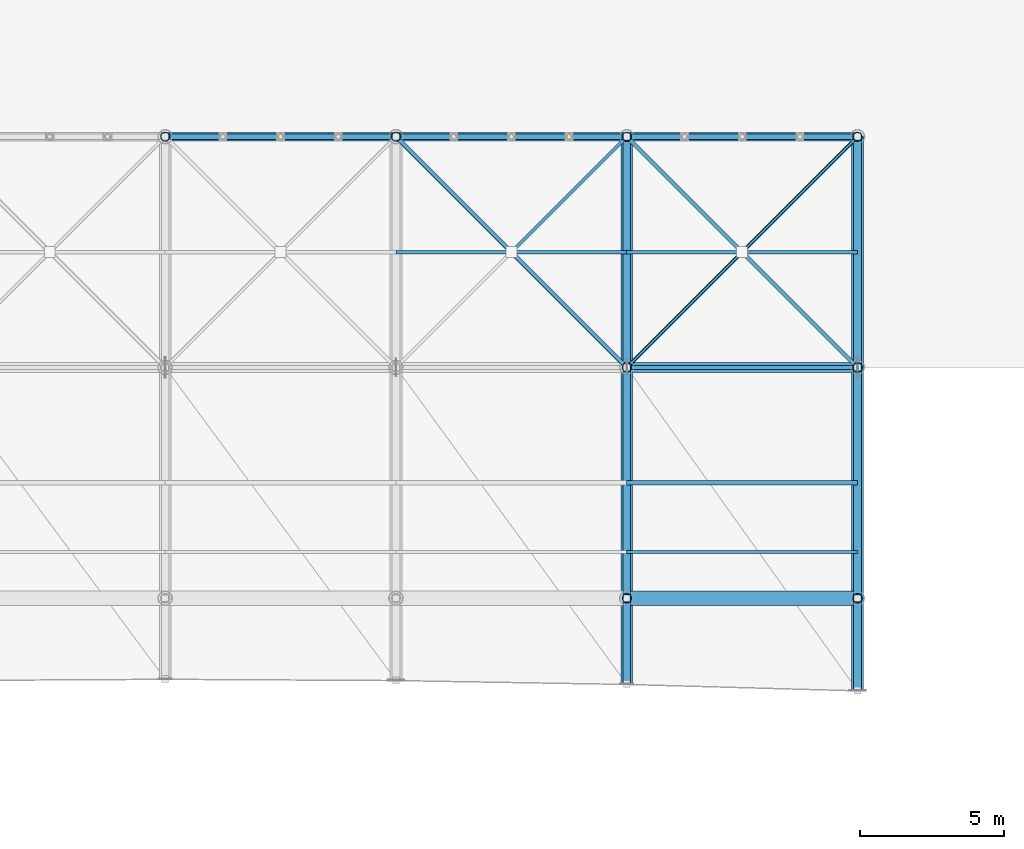
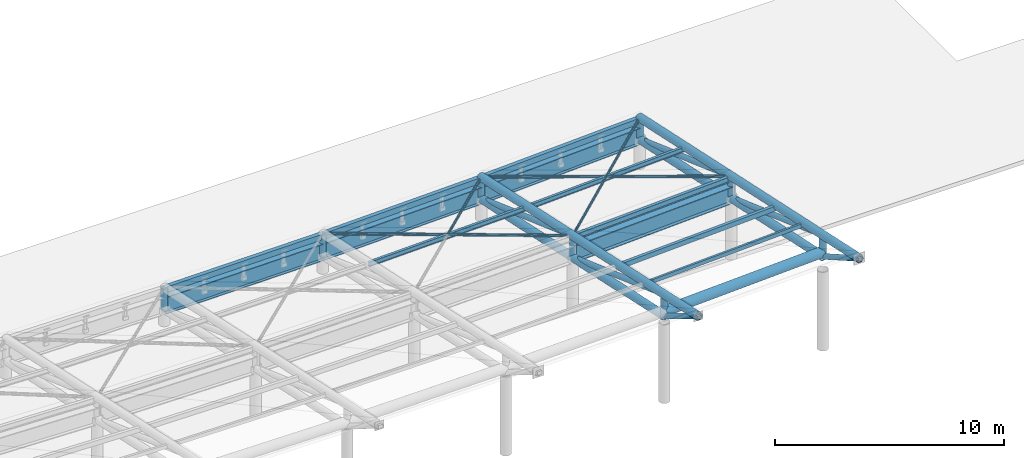
# One storey, part 18 of 54: 28 members, 8 beams.
"""IFC4 building model written with IfcOpenShell, lengths in metres."""

from ifc_helpers import new_model, si_unit, direction, frame, origin, origin_2d, place, context, subcontext, project, spatial, hollow_rectangle, hollow_circle, i_section, extrude, material, material_profile, profile_set, type_object, element, save


model = new_model("IFC4")

# Units and contexts
model_context = context("Model", 3, precision=1e-05, world=origin(), true_north=direction((0.0, 1.0)))
body_context = subcontext(model_context, "Body", "Model", "MODEL_VIEW")
ifc_project = project(units=[si_unit("LENGTHUNIT", "METRE"), si_unit("AREAUNIT", "SQUARE_METRE"), si_unit("VOLUMEUNIT", "CUBIC_METRE"), si_unit("PLANEANGLEUNIT", "RADIAN"), si_unit("MASSUNIT", "GRAM", prefix="KILO")], contexts=[model_context])

# Site, building, storey
site_placement = place(None, origin())
site = spatial("IfcSite", under=ifc_project, at=site_placement, CompositionType="ELEMENT")
building_placement = place(site_placement, origin())
building = spatial("IfcBuilding", under=site, at=building_placement, Name="Haebicheon Civic Stadium", CompositionType="ELEMENT")
storey_placement = place(building_placement, frame((0.0, 0.0, 22.800048828125)))
storey = spatial("IfcBuildingStorey", under=building, at=storey_placement, Name="L06", CompositionType="ELEMENT", Elevation=22.800048828125)

# Members
ifc_material_1 = material(Name="White painted steel SM490", Category="steel")
ifc_material_profile_1 = material_profile(ifc_material_1, hollow_circle(Radius=0.05712890625, WallThickness=0.006103515625, at=origin_2d()), Name="CHS-114.3x6.0")
ifc_profile_set_1 = profile_set([ifc_material_profile_1], Name="White painted steel SM490")
member_type_1 = type_object("IfcMemberType", Name="BRC-CHS114", PredefinedType="BRACE", material=ifc_profile_set_1)
member_1_placement = place(storey_placement, frame((120.0, 160.0, 2.219970703125), z_axis=(-0.700966987649, -0.700966987649, 0.131493590921), x_axis=(0.707106781187, -0.707106781187, 0.0)))
element("IfcMember", 1, at=member_1_placement, inside=storey, type_object=member_type_1, material=ifc_profile_set_1, Name="BR114 diagonal brace CAN-NORTH canopy bay 5 B1", PredefinedType="BRACE", context=body_context, shape_type="SweptSolid", body=[
    extrude(hollow_circle(Radius=0.05712890625, WallThickness=0.006103515625, at=origin_2d()), origin(), (0.0, 0.0, 1.0), 5.635009765625),
])
member_2_placement = place(storey_placement, frame((128.0, 160.0, 2.5869140625), z_axis=(-0.702116996271, -0.702116996271, 0.118589405491), x_axis=(0.707106781187, -0.707106781187, 0.0)))
element("IfcMember", 2, at=member_2_placement, inside=storey, type_object=member_type_1, material=ifc_profile_set_1, Name="BR114 diagonal brace CAN-NORTH canopy bay 6 B1", PredefinedType="BRACE", context=body_context, shape_type="SweptSolid", body=[
    extrude(hollow_circle(Radius=0.05712890625, WallThickness=0.006103515625, at=origin_2d()), origin(), (0.0, 0.0, 1.0), 5.624267578125),
])
member_3_placement = place(storey_placement, frame((123.948974609375, 155.948974609375, 3.27197265625), z_axis=(-0.702102529055, -0.702102529055, 0.118760588531), x_axis=(0.707106781187, -0.707106781187, 0.0)))
element("IfcMember", 3, at=member_3_placement, inside=storey, type_object=member_type_1, material=ifc_profile_set_1, Name="BR114 diagonal brace CAN-NORTH canopy bay 6 B2", PredefinedType="BRACE", context=body_context, shape_type="SweptSolid", body=[
    extrude(hollow_circle(Radius=0.05712890625, WallThickness=0.006103515625, at=origin_2d()), origin(), (0.0, 0.0, 1.0), 5.62451171875),
])
ifc_material_2 = material(Name="White painted steel SM490", Category="steel")
ifc_material_profile_2 = material_profile(ifc_material_2, hollow_circle(Radius=0.06982421875, WallThickness=0.006591796875, at=origin_2d()), Name="CHS-139.8x6.6")
ifc_profile_set_2 = profile_set([ifc_material_profile_2], Name="White painted steel SM490")
member_type_2 = type_object("IfcMemberType", Name="BRC-CHS139", PredefinedType="BRACE", material=ifc_profile_set_2)
member_4_placement = place(storey_placement, frame((112.0, 160.0, 2.0), z_axis=(0.696935578316, -0.696935578316, 0.169001773233), x_axis=(0.707106781187, 0.707106781187, 0.0)))
element("IfcMember", 4, at=member_4_placement, inside=storey, type_object=member_type_2, material=ifc_profile_set_2, Name="BR139 diagonal brace CAN-NORTH canopy bay 5 A", PredefinedType="BRACE", context=body_context, shape_type="SweptSolid", body=[
    extrude(hollow_circle(Radius=0.06982421875, WallThickness=0.006591796875, at=origin_2d()), origin(), (0.0, 0.0, 1.0), 11.478759765625),
])
member_5_placement = place(storey_placement, frame((120.0, 160.0, 2.219970703125), z_axis=(0.695375628973, -0.695375628973, 0.181398647353), x_axis=(0.707106781187, 0.707106781187, 0.0)))
element("IfcMember", 5, at=member_5_placement, inside=storey, type_object=member_type_2, material=ifc_profile_set_2, Name="BR139 diagonal brace CAN-NORTH canopy bay 6 A", PredefinedType="BRACE", context=body_context, shape_type="SweptSolid", body=[
    extrude(hollow_circle(Radius=0.06982421875, WallThickness=0.006591796875, at=origin_2d()), origin(), (0.0, 0.0, 1.0), 11.504638671875),
])
ifc_material_3 = material(Name="White painted steel SM490", Category="steel")
ifc_material_profile_3 = material_profile(ifc_material_3, hollow_circle(Radius=0.1337890625, WallThickness=0.011962890625, at=origin_2d()), Name="CHS-267.4x12.0")
ifc_profile_set_3 = profile_set([ifc_material_profile_3], Name="White painted steel SM490")
member_type_3 = type_object("IfcMemberType", Name="BRC-CHS267", PredefinedType="BRACE", material=ifc_profile_set_3)
member_6_placement = place(storey_placement, frame((120.0, 143.8798828125, 4.58203125), z_axis=(0.0, -0.857059789892, 0.515216960659), x_axis=(1.0, 0.0, 0.0)))
element("IfcMember", 6, at=member_6_placement, inside=storey, type_object=member_type_3, material=ifc_profile_set_3, Name="BR267 diagonal brace CAN-NORTH truss 6 tip", PredefinedType="BRACE", context=body_context, shape_type="SweptSolid", body=[
    extrude(hollow_circle(Radius=0.1337890625, WallThickness=0.011962890625, at=origin_2d()), origin(), (0.0, 0.0, 1.0), 3.33447265625),
])
for number, where, z_axis, x_axis, name in (
    (7, (120.0, 160.0, 1.070068359375), (0.0, -0.9412665544, 0.3376644393), (1.0, 0.0, 0.0), "BR267 diagonal brace CAN-NORTH truss 6 D1"),
    (8, (120.0, 152.0, 2.7900390625), (0.0, -0.9412665544, 0.3376644393), (1.0, 0.0, 0.0), "BR267 diagonal brace CAN-NORTH truss 6 D2"),
):
    element("IfcMember", number, at=place(storey_placement, frame(where, z_axis=z_axis, x_axis=x_axis)), inside=storey, type_object=member_type_3, material=ifc_profile_set_3, Name=name, PredefinedType="BRACE", context=body_context, shape_type="SweptSolid", body=[
        extrude(hollow_circle(Radius=0.1337890625, WallThickness=0.011962890625, at=origin_2d()), origin(), (0.0, 0.0, 1.0), 8.499267578125),
    ])
member_7_placement = place(storey_placement, frame((128.0, 143.87890625, 4.947021484375), z_axis=(0.0, -0.867212955161, 0.497937436232), x_axis=(1.0, 0.0, 0.0)))
element("IfcMember", 9, at=member_7_placement, inside=storey, type_object=member_type_3, material=ifc_profile_set_3, Name="BR267 diagonal brace CAN-NORTH truss 7 tip", PredefinedType="BRACE", context=body_context, shape_type="SweptSolid", body=[
    extrude(hollow_circle(Radius=0.1337890625, WallThickness=0.011962890625, at=origin_2d()), origin(), (0.0, 0.0, 1.0), 3.55029296875),
])
for number, where, z_axis, x_axis, name in (
    (10, (128.0, 160.0, 1.43701171875), (0.0, -0.9412665544, 0.3376644393), (1.0, 0.0, 0.0), "BR267 diagonal brace CAN-NORTH truss 7 D1"),
    (11, (128.0, 152.0, 3.156982421875), (0.0, -0.9412665544, 0.3376644393), (1.0, 0.0, 0.0), "BR267 diagonal brace CAN-NORTH truss 7 D2"),
):
    element("IfcMember", number, at=place(storey_placement, frame(where, z_axis=z_axis, x_axis=x_axis)), inside=storey, type_object=member_type_3, material=ifc_profile_set_3, Name=name, PredefinedType="BRACE", context=body_context, shape_type="SweptSolid", body=[
        extrude(hollow_circle(Radius=0.1337890625, WallThickness=0.011962890625, at=origin_2d()), origin(), (0.0, 0.0, 1.0), 8.499267578125),
    ])
ifc_material_4 = material(Name="White painted steel SM490", Category="steel")
ifc_material_profile_4 = material_profile(ifc_material_4, hollow_circle(Radius=0.203125, WallThickness=0.01806640625, at=origin_2d()), Name="CHS-406.4x18.0")
ifc_profile_set_4 = profile_set([ifc_material_profile_4], Name="White painted steel SM490")
member_type_4 = type_object("IfcMemberType", Name="CHD-CHS406", PredefinedType="CHORD", material=ifc_profile_set_4)
member_8_placement = place(storey_placement, frame((120.0, 160.0, 2.219970703125), z_axis=(0.0, -0.977661207526, 0.210186972241), x_axis=(1.0, 0.0, 0.0)))
element("IfcMember", 12, at=member_8_placement, inside=storey, type_object=member_type_4, material=ifc_profile_set_4, Name="CH406 truss chord CAN-NORTH 6 top", PredefinedType="CHORD", context=body_context, shape_type="SweptSolid", body=[
    extrude(hollow_circle(Radius=0.203125, WallThickness=0.01806640625, at=origin_2d()), origin(), (0.0, 0.0, 1.0), 19.41162109375),
])
member_9_placement = place(storey_placement, frame((120.0, 160.0, 1.070068359375), z_axis=(0.0, -0.977659849808, 0.210193287411), x_axis=(1.0, 0.0, 0.0)))
element("IfcMember", 13, at=member_9_placement, inside=storey, type_object=member_type_4, material=ifc_profile_set_4, Name="CH406 truss chord CAN-NORTH 6 bottom", PredefinedType="CHORD", context=body_context, shape_type="SweptSolid", body=[
    extrude(hollow_circle(Radius=0.203125, WallThickness=0.01806640625, at=origin_2d()), origin(), (0.0, 0.0, 1.0), 16.36572265625),
])
member_10_placement = place(storey_placement, frame((128.0, 160.0, 2.5869140625), z_axis=(0.0, -0.977659739959, 0.210193798345), x_axis=(1.0, 0.0, 0.0)))
element("IfcMember", 14, at=member_10_placement, inside=storey, type_object=member_type_4, material=ifc_profile_set_4, Name="CH406 truss chord CAN-NORTH 7 top", PredefinedType="CHORD", context=body_context, shape_type="SweptSolid", body=[
    extrude(hollow_circle(Radius=0.203125, WallThickness=0.01806640625, at=origin_2d()), origin(), (0.0, 0.0, 1.0), 19.638671875),
])
member_11_placement = place(storey_placement, frame((128.0, 160.0, 1.43701171875), z_axis=(0.0, -0.977659849808, 0.210193287411), x_axis=(1.0, 0.0, 0.0)))
element("IfcMember", 15, at=member_11_placement, inside=storey, type_object=member_type_4, material=ifc_profile_set_4, Name="CH406 truss chord CAN-NORTH 7 bottom", PredefinedType="CHORD", context=body_context, shape_type="SweptSolid", body=[
    extrude(hollow_circle(Radius=0.203125, WallThickness=0.01806640625, at=origin_2d()), origin(), (0.0, 0.0, 1.0), 16.36572265625),
])
ifc_material_5 = material(Name="White painted steel SM490", Category="steel")
ifc_material_profile_5 = material_profile(ifc_material_5, hollow_rectangle(XDim=0.10009765625, YDim=0.199951171875, WallThickness=0.008056640625, at=origin_2d()), Name="RHS-200x100x8.0")
ifc_profile_set_5 = profile_set([ifc_material_profile_5], Name="White painted steel SM490")
member_type_5 = type_object("IfcMemberType", Name="PRL-RHS200", PredefinedType="RAFTER", material=ifc_profile_set_5)
member_12_placement = place(storey_placement, frame((120.0, 145.60009765625, 5.27392578125), z_axis=(0.998949723901, 0.0, 0.045819745942), x_axis=(0.0, 1.0, 0.0)))
element("IfcMember", 16, at=member_12_placement, inside=storey, type_object=member_type_5, material=ifc_profile_set_5, Name="CAN-NORTH canopy purlin bay 6 (90%)", PredefinedType="RAFTER", context=body_context, shape_type="SweptSolid", body=[
    extrude(hollow_rectangle(XDim=0.10009765625, YDim=0.199951171875, WallThickness=0.008056640625, at=origin_2d()), origin(), (0.0, 0.0, 1.0), 8.00830078125),
])
ifc_material_6 = material(Name="White painted steel SM490", Category="steel")
ifc_material_profile_6 = material_profile(ifc_material_6, hollow_rectangle(XDim=0.14990234375, YDim=0.25, WallThickness=0.010009765625, at=origin_2d()), Name="RHS-250x150x10.0")
ifc_profile_set_6 = profile_set([ifc_material_profile_6], Name="White painted steel SM490")
member_type_6 = type_object("IfcMemberType", Name="PRL-RHS250", PredefinedType="PURLIN", material=ifc_profile_set_6)
member_13_placement = place(storey_placement, frame((120.0, 148.0, 4.73291015625), z_axis=(0.998949723901, 0.0, 0.045819745942), x_axis=(0.0, 1.0, 0.0)))
element("IfcMember", 17, at=member_13_placement, inside=storey, type_object=member_type_6, material=ifc_profile_set_6, Name="CAN-NORTH canopy purlin bay 6 (75%)", PredefinedType="PURLIN", context=body_context, shape_type="SweptSolid", body=[
    extrude(hollow_rectangle(XDim=0.14990234375, YDim=0.25, WallThickness=0.010009765625, at=origin_2d()), origin(), (0.0, 0.0, 1.0), 8.00830078125),
])
ifc_material_7 = material(Name="White painted steel SM490", Category="steel")
ifc_material_profile_7 = material_profile(ifc_material_7, i_section(OverallWidth=0.125, OverallDepth=0.25, WebThickness=0.006103515625, FlangeThickness=0.009033203125, at=origin_2d()), Name="H-250x125x6x9")
ifc_profile_set_7 = profile_set([ifc_material_profile_7], Name="White painted steel SM490")
member_type_7 = type_object("IfcMemberType", Name="PRL-ST-H250", PredefinedType="PURLIN", material=ifc_profile_set_7)
member_14_placement = place(storey_placement, frame((112.0, 156.0, 2.79296875), z_axis=(0.99962218992, 0.0, 0.027485949497), x_axis=(0.0, 1.0, 0.0)))
element("IfcMember", 18, at=member_14_placement, inside=storey, type_object=member_type_7, material=ifc_profile_set_7, Name="CAN-NORTH canopy purlin bay 5 (25%)", PredefinedType="PURLIN", context=body_context, shape_type="SweptSolid", body=[
    extrude(i_section(OverallWidth=0.125, OverallDepth=0.25, WebThickness=0.006103515625, FlangeThickness=0.009033203125, at=origin_2d()), origin(), (0.0, 0.0, 1.0), 8.0029296875),
])
member_15_placement = place(storey_placement, frame((120.0, 156.0, 3.012939453125), z_axis=(0.998949723901, 0.0, 0.045819745942), x_axis=(0.0, 1.0, 0.0)))
element("IfcMember", 19, at=member_15_placement, inside=storey, type_object=member_type_7, material=ifc_profile_set_7, Name="CAN-NORTH canopy purlin bay 6 (25%)", PredefinedType="PURLIN", context=body_context, shape_type="SweptSolid", body=[
    extrude(i_section(OverallWidth=0.125, OverallDepth=0.25, WebThickness=0.006103515625, FlangeThickness=0.009033203125, at=origin_2d()), origin(), (0.0, 0.0, 1.0), 8.00830078125),
])
ifc_material_8 = material(Name="White painted steel SM490", Category="steel")
ifc_material_profile_8 = material_profile(ifc_material_8, i_section(OverallWidth=0.14990234375, OverallDepth=0.300048828125, WebThickness=0.006591796875, FlangeThickness=0.009033203125, at=origin_2d()), Name="H-300x150x6.5x9")
ifc_profile_set_8 = profile_set([ifc_material_profile_8], Name="White painted steel SM490")
member_type_8 = type_object("IfcMemberType", Name="PRL-ST-H300", PredefinedType="PURLIN", material=ifc_profile_set_8)
member_16_placement = place(storey_placement, frame((120.0, 152.0, 3.847900390625), z_axis=(0.998949723901, 0.0, 0.045819745942), x_axis=(0.0, 1.0, 0.0)))
element("IfcMember", 20, at=member_16_placement, inside=storey, type_object=member_type_8, material=ifc_profile_set_8, Name="CAN-NORTH canopy purlin bay 6 (50%)", PredefinedType="PURLIN", context=body_context, shape_type="SweptSolid", body=[
    extrude(i_section(OverallWidth=0.14990234375, OverallDepth=0.300048828125, WebThickness=0.006591796875, FlangeThickness=0.009033203125, at=origin_2d()), origin(), (0.0, 0.0, 1.0), 8.00830078125),
])

# Beams
ifc_material_9 = material(Name="White painted steel SM490", Category="steel")
ifc_material_profile_9 = material_profile(ifc_material_9, hollow_circle(Radius=0.25390625, WallThickness=0.02490234375, at=origin_2d()), Name="CHS-508.0x25.0")
ifc_profile_set_9 = profile_set([ifc_material_profile_9], Name="White painted steel SM490")
beam_type_1 = type_object("IfcBeamType", Name="RB-ST-CHS508", PredefinedType="USERDEFINED", material=ifc_profile_set_9)
beam_1_placement = place(storey_placement, frame((120.0, 144.0, 4.760009765625), z_axis=(0.998949723901, 0.0, 0.045819745942), x_axis=(0.0, 1.0, 0.0)))
element("IfcBeam", 21, at=beam_1_placement, inside=storey, type_object=beam_type_1, material=ifc_profile_set_9, Name="CAN-NORTH polygonal ring beam RB-PIR bay 6", ObjectType="RING BEAM", PredefinedType="USERDEFINED", context=body_context, shape_type="SweptSolid", body=[
    extrude(hollow_circle(Radius=0.25390625, WallThickness=0.02490234375, at=origin_2d()), origin(), (0.0, 0.0, 1.0), 8.00830078125),
])
ifc_material_10 = material(Name="White painted steel SM490", Category="steel")
ifc_material_profile_10 = material_profile(ifc_material_10, i_section(OverallWidth=0.35009765625, OverallDepth=0.89990234375, WebThickness=0.01806640625, FlangeThickness=0.031982421875, at=origin_2d()), Name="H-900x350x18x32")
ifc_profile_set_10 = profile_set([ifc_material_profile_10], Name="White painted steel SM490")
beam_type_2 = type_object("IfcBeamType", Name="RB-ST-H900A", PredefinedType="USERDEFINED", material=ifc_profile_set_10)
beam_2_placement = place(storey_placement, frame((120.0, 152.0, 3.0400390625), z_axis=(0.998949723901, 0.0, 0.045819745942), x_axis=(0.0, 1.0, 0.0)))
element("IfcBeam", 22, at=beam_2_placement, inside=storey, type_object=beam_type_2, material=ifc_profile_set_10, Name="CAN-NORTH polygonal ring beam RB-PIV bay 6", ObjectType="RING BEAM", PredefinedType="USERDEFINED", context=body_context, shape_type="SweptSolid", body=[
    extrude(i_section(OverallWidth=0.35009765625, OverallDepth=0.89990234375, WebThickness=0.01806640625, FlangeThickness=0.031982421875, at=origin_2d()), origin(), (0.0, 0.0, 1.0), 8.00830078125),
])
ifc_material_11 = material(Name="White painted steel SM490", Category="steel")
ifc_material_profile_11 = material_profile(ifc_material_11, i_section(OverallWidth=0.300048828125, OverallDepth=0.89990234375, WebThickness=0.01611328125, FlangeThickness=0.028076171875, at=origin_2d()), Name="H-900x300x16x28")
ifc_profile_set_11 = profile_set([ifc_material_profile_11], Name="White painted steel SM490")
beam_type_3 = type_object("IfcBeamType", Name="RB-ST-H900B", PredefinedType="USERDEFINED", material=ifc_profile_set_11)
beam_3_placement = place(storey_placement, frame((104.0, 160.0, 1.02685546875), z_axis=(0.999958372015, 0.0, 0.009124376014), x_axis=(0.0, 1.0, 0.0)))
element("IfcBeam", 23, at=beam_3_placement, inside=storey, type_object=beam_type_3, material=ifc_profile_set_11, Name="CAN-NORTH polygonal ring beam RB-BCK bay 4", ObjectType="RING BEAM", PredefinedType="USERDEFINED", context=body_context, shape_type="SweptSolid", body=[
    extrude(i_section(OverallWidth=0.300048828125, OverallDepth=0.89990234375, WebThickness=0.01611328125, FlangeThickness=0.028076171875, at=origin_2d()), origin(), (0.0, 0.0, 1.0), 8.000244140625),
])
beam_4_placement = place(storey_placement, frame((112.0, 160.0, 1.099853515625), z_axis=(0.999621351285, 0.0, 0.02751643246), x_axis=(0.0, 1.0, 0.0)))
element("IfcBeam", 24, at=beam_4_placement, inside=storey, type_object=beam_type_3, material=ifc_profile_set_11, Name="CAN-NORTH polygonal ring beam RB-BCK bay 5", ObjectType="RING BEAM", PredefinedType="USERDEFINED", context=body_context, shape_type="SweptSolid", body=[
    extrude(i_section(OverallWidth=0.300048828125, OverallDepth=0.89990234375, WebThickness=0.01611328125, FlangeThickness=0.028076171875, at=origin_2d()), origin(), (0.0, 0.0, 1.0), 8.0029296875),
])
beam_5_placement = place(storey_placement, frame((120.0, 160.0, 1.320068359375), z_axis=(0.998949723901, 0.0, 0.045819745942), x_axis=(0.0, 1.0, 0.0)))
element("IfcBeam", 25, at=beam_5_placement, inside=storey, type_object=beam_type_3, material=ifc_profile_set_11, Name="CAN-NORTH polygonal ring beam RB-BCK bay 6", ObjectType="RING BEAM", PredefinedType="USERDEFINED", context=body_context, shape_type="SweptSolid", body=[
    extrude(i_section(OverallWidth=0.300048828125, OverallDepth=0.89990234375, WebThickness=0.01611328125, FlangeThickness=0.028076171875, at=origin_2d()), origin(), (0.0, 0.0, 1.0), 8.00830078125),
])
ifc_material_12 = material(Name="White painted steel SM490", Category="steel")
ifc_material_profile_12 = material_profile(ifc_material_12, hollow_rectangle(XDim=0.199951171875, YDim=0.300048828125, WallThickness=0.011962890625, at=origin_2d()), Name="RHS-300x200x12.0")
ifc_profile_set_12 = profile_set([ifc_material_profile_12], Name="White painted steel SM490")
beam_type_4 = type_object("IfcBeamType", Name="RB-ST-RHS300", PredefinedType="USERDEFINED", material=ifc_profile_set_12)
beam_6_placement = place(storey_placement, frame((104.0, 160.0, 1.826904296875), z_axis=(0.999958372015, 0.0, 0.009124376014), x_axis=(0.0, 1.0, 0.0)))
element("IfcBeam", 26, at=beam_6_placement, inside=storey, type_object=beam_type_4, material=ifc_profile_set_12, Name="CAN-NORTH polygonal ring beam RB-TOP bay 4", ObjectType="RING BEAM", PredefinedType="USERDEFINED", context=body_context, shape_type="SweptSolid", body=[
    extrude(hollow_rectangle(XDim=0.199951171875, YDim=0.300048828125, WallThickness=0.011962890625, at=origin_2d()), origin(), (0.0, 0.0, 1.0), 8.000244140625),
])
beam_7_placement = place(storey_placement, frame((112.0, 160.0, 1.89990234375), z_axis=(0.99962218992, 0.0, 0.027485949497), x_axis=(0.0, 1.0, 0.0)))
element("IfcBeam", 27, at=beam_7_placement, inside=storey, type_object=beam_type_4, material=ifc_profile_set_12, Name="CAN-NORTH polygonal ring beam RB-TOP bay 5", ObjectType="RING BEAM", PredefinedType="USERDEFINED", context=body_context, shape_type="SweptSolid", body=[
    extrude(hollow_rectangle(XDim=0.199951171875, YDim=0.300048828125, WallThickness=0.011962890625, at=origin_2d()), origin(), (0.0, 0.0, 1.0), 8.0029296875),
])
beam_8_placement = place(storey_placement, frame((120.0, 160.0, 2.119873046875), z_axis=(0.998948328068, 0.0, 0.045850167402), x_axis=(0.0, 1.0, 0.0)))
element("IfcBeam", 28, at=beam_8_placement, inside=storey, type_object=beam_type_4, material=ifc_profile_set_12, Name="CAN-NORTH polygonal ring beam RB-TOP bay 6", ObjectType="RING BEAM", PredefinedType="USERDEFINED", context=body_context, shape_type="SweptSolid", body=[
    extrude(hollow_rectangle(XDim=0.199951171875, YDim=0.300048828125, WallThickness=0.011962890625, at=origin_2d()), origin(), (0.0, 0.0, 1.0), 8.00830078125),
])

# Members
ifc_material_13 = material(Name="White painted steel SM490", Category="steel")
ifc_material_profile_13 = material_profile(ifc_material_13, hollow_circle(Radius=0.1591796875, WallThickness=0.013916015625, at=origin_2d()), Name="CHS-318.5x14.0")
ifc_profile_set_13 = profile_set([ifc_material_profile_13], Name="White painted steel SM490")
member_type_9 = type_object("IfcMemberType", Name="STR-CHS318", PredefinedType="STRUT", material=ifc_profile_set_13)
for number, where, z_axis, x_axis, name in (
    (29, (104.0, 160.0, 0.77685546875), (0.0, 0.0, 1.0), (1.0, 0.0, 0.0), "ST318 web strut CAN-NORTH truss 4 VB"),
    (30, (112.0, 160.0, 0.849853515625), (0.0, 0.0, 1.0), (1.0, 0.0, 0.0), "ST318 web strut CAN-NORTH truss 5 VB"),
):
    element("IfcMember", number, at=place(storey_placement, frame(where, z_axis=z_axis, x_axis=x_axis)), inside=storey, type_object=member_type_9, material=ifc_profile_set_13, Name=name, PredefinedType="STRUT", context=body_context, shape_type="SweptSolid", body=[
        extrude(hollow_circle(Radius=0.1591796875, WallThickness=0.013916015625, at=origin_2d()), origin(), (0.0, 0.0, 1.0), 1.150146484375),
    ])
for number, where, z_axis, x_axis, name in (
    (31, (120.0, 160.0, 1.070068359375), (0.0, 0.0, 1.0), (1.0, 0.0, 0.0), "ST318 web strut CAN-NORTH truss 6 VB"),
    (32, (120.0, 152.0, 2.7900390625), (0.0, 0.0, 1.0), (1.0, 0.0, 0.0), "ST318 web strut CAN-NORTH truss 6 VP"),
    (33, (120.0, 144.0, 4.510009765625), (0.0, 0.0, 1.0), (1.0, 0.0, 0.0), "ST318 web strut CAN-NORTH truss 6 VR"),
    (34, (128.0, 160.0, 1.43701171875), (0.0, 0.0, 1.0), (1.0, 0.0, 0.0), "ST318 web strut CAN-NORTH truss 7 VB"),
    (35, (128.0, 152.0, 3.156982421875), (0.0, 0.0, 1.0), (1.0, 0.0, 0.0), "ST318 web strut CAN-NORTH truss 7 VP"),
    (36, (128.0, 144.0, 4.876953125), (0.0, 0.0, 1.0), (1.0, 0.0, 0.0), "ST318 web strut CAN-NORTH truss 7 VR"),
):
    element("IfcMember", number, at=place(storey_placement, frame(where, z_axis=z_axis, x_axis=x_axis)), inside=storey, type_object=member_type_9, material=ifc_profile_set_13, Name=name, PredefinedType="STRUT", context=body_context, shape_type="SweptSolid", body=[
        extrude(hollow_circle(Radius=0.1591796875, WallThickness=0.013916015625, at=origin_2d()), origin(), (0.0, 0.0, 1.0), 1.14990234375),
    ])

save(model, "model.ifc")
